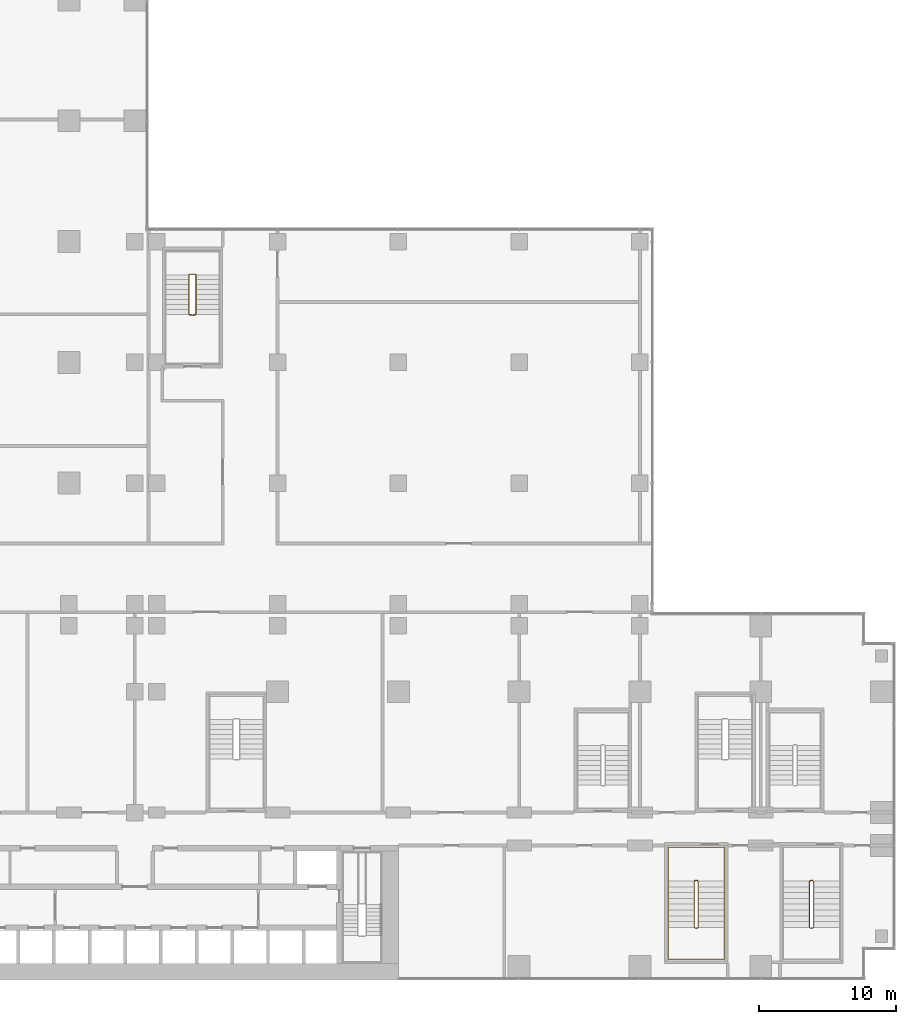
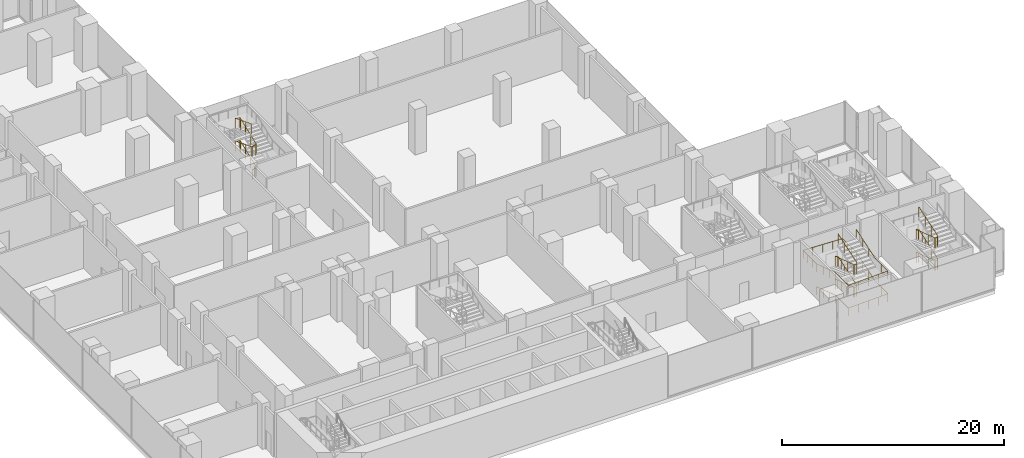
# One storey, part 28 of 30: 4 railings.
"""IFC4 building model written with IfcOpenShell, lengths in metres."""

from ifc_helpers import new_model, si_unit, direction, frame, origin, origin_2d, place, context, subcontext, project, spatial, circle, extrude, material, type_object, element, save


model = new_model("IFC4")

# Units and contexts
model_context = context("Model", 3, precision=1e-05, world=origin(), true_north=direction((0.0, 1.0)))
body_context = subcontext(model_context, "Body", "Model", "MODEL_VIEW")
ifc_project = project(units=[si_unit("LENGTHUNIT", "METRE"), si_unit("AREAUNIT", "SQUARE_METRE"), si_unit("VOLUMEUNIT", "CUBIC_METRE"), si_unit("PLANEANGLEUNIT", "RADIAN"), si_unit("MASSUNIT", "GRAM", prefix="KILO")], contexts=[model_context])

# Site, building, storey
site_placement = place(None, origin())
site = spatial("IfcSite", under=ifc_project, at=site_placement, CompositionType="ELEMENT")
building_placement = place(site_placement, origin())
building = spatial("IfcBuilding", under=site, at=building_placement, Name="Kemantara Hotel Tower", CompositionType="ELEMENT")
storey_placement = place(building_placement, frame((0.0, 0.0, 13.0)))
storey = spatial("IfcBuildingStorey", under=building, at=storey_placement, Name="L02", CompositionType="ELEMENT", Elevation=13.0)

# Railings
ifc_material = material(Name="Stainless steel balustrade", Category="steel")
railing_type_1 = type_object("IfcRailingType", Name="Stair guard 1100 mm", PredefinedType="GUARDRAIL", material=ifc_material)
railing_1_placement = place(storey_placement, frame((29.75, 48.5, 5.0)))
element("IfcRailing", 1, at=railing_1_placement, inside=storey, type_object=railing_type_1, Name="L02 PS2 stair guard 1", PredefinedType="GUARDRAIL", context=body_context, shape_type="SweptSolid", body=[
    extrude(circle(Radius=0.02392578125, at=origin_2d()), frame((0.0, 0.0, 1.076171875), z_axis=(0.0, 0.932972064118, -0.359948784656), x_axis=(-1.0, 0.0, 0.0)), (0.0, 0.0, 1.0), 3.086669921875),
    extrude(circle(Radius=0.02392578125, at=origin_2d()), frame((0.0, 2.8798828125, -0.03515625), z_axis=(0.321014310373, 0.321014310373, -0.891010451718), x_axis=(-0.707106781187, 0.707106781187, 0.0)), (0.0, 0.0, 1.0), 0.156005859375),
    extrude(circle(Radius=0.02392578125, at=origin_2d()), frame((0.050048828125, 2.929931640625, -0.173828125), z_axis=(1.0, 0.0, 0.0), x_axis=(0.0, 1.0, 0.0)), (0.0, 0.0, 1.0), 0.39990234375),
    extrude(circle(Radius=0.02392578125, at=origin_2d()), frame((0.449951171875, 2.929931640625, -0.173828125), z_axis=(0.707106781187, -0.707106781187, 0.0), x_axis=(0.707106781187, 0.707106781187, 0.0)), (0.0, 0.0, 1.0), 0.07080078125),
    extrude(circle(Radius=0.02392578125, at=origin_2d()), frame((0.5, 2.8798828125, -0.173828125), z_axis=(0.0, -0.932972064118, -0.359948784656), x_axis=(1.0, 0.0, 0.0)), (0.0, 0.0, 1.0), 3.086669921875),
    extrude(circle(Radius=0.02392578125, at=origin_2d()), frame((0.5, 0.0, -1.28515625), z_axis=(-0.950147067569, -0.105686461667, -0.293344374089), x_axis=(0.110549901152, -0.993870574751, 0.0)), (0.0, 0.0, 1.0), 0.4736328125),
    extrude(circle(Radius=0.02392578125, at=origin_2d()), frame((0.050048828125, -0.050048828125, -1.423828125), z_axis=(1.0, 0.0, 0.0), x_axis=(0.0, 1.0, 0.0)), (0.0, 0.0, 1.0), 0.39990234375),
    extrude(circle(Radius=0.02392578125, at=origin_2d()), frame((0.449951171875, -0.050048828125, -1.423828125), z_axis=(-0.993870574751, 0.110549901152, 0.0), x_axis=(-0.110549901152, -0.993870574751, 0.0)), (0.0, 0.0, 1.0), 0.45263671875),
    extrude(circle(Radius=0.02392578125, at=origin_2d()), frame((0.0, 0.0, -1.423828125), z_axis=(0.0, 0.932972064118, -0.359948784656), x_axis=(-1.0, 0.0, 0.0)), (0.0, 0.0, 1.0), 3.086669921875),
    extrude(circle(Radius=0.02392578125, at=origin_2d()), frame((0.0, 2.8798828125, -2.53515625), z_axis=(0.321014310373, 0.321014310373, -0.891010451718), x_axis=(-0.707106781187, 0.707106781187, 0.0)), (0.0, 0.0, 1.0), 0.156005859375),
    extrude(circle(Radius=0.02392578125, at=origin_2d()), frame((0.050048828125, 2.929931640625, -2.673828125), z_axis=(1.0, 0.0, 0.0), x_axis=(0.0, 1.0, 0.0)), (0.0, 0.0, 1.0), 0.39990234375),
    extrude(circle(Radius=0.02392578125, at=origin_2d()), frame((0.449951171875, 2.929931640625, -2.673828125), z_axis=(0.707106781187, -0.707106781187, 0.0), x_axis=(0.707106781187, 0.707106781187, 0.0)), (0.0, 0.0, 1.0), 0.07080078125),
    extrude(circle(Radius=0.02392578125, at=origin_2d()), frame((0.5, 2.8798828125, -2.673828125), z_axis=(0.0, -0.932972064118, -0.359948784656), x_axis=(1.0, 0.0, 0.0)), (0.0, 0.0, 1.0), 3.086669921875),
    extrude(circle(Radius=0.02392578125, at=origin_2d()), frame((0.5, 0.0, -3.78515625), z_axis=(-0.321014310373, -0.321014310373, -0.891010451718), x_axis=(0.707106781187, -0.707106781187, 0.0)), (0.0, 0.0, 1.0), 0.156005859375),
    extrude(circle(Radius=0.02392578125, at=origin_2d()), frame((0.449951171875, -0.050048828125, -3.923828125), z_axis=(-1.0, 0.0, 0.0), x_axis=(0.0, -1.0, 0.0)), (0.0, 0.0, 1.0), 0.39990234375),
    extrude(circle(Radius=0.02099609375, at=origin_2d()), origin(), (0.0, 0.0, 1.0), 1.052001953125),
    extrude(circle(Radius=0.02099609375, at=origin_2d()), frame((0.0, 0.9599609375, -0.370361328125)), (0.0, 0.0, 1.0), 1.052001953125),
    extrude(circle(Radius=0.02099609375, at=origin_2d()), frame((0.0, 1.919921875, -0.74072265625)), (0.0, 0.0, 1.0), 1.052001953125),
    extrude(circle(Radius=0.02099609375, at=origin_2d()), frame((0.0, 2.8798828125, -1.111083984375)), (0.0, 0.0, 1.0), 1.052001953125),
    extrude(circle(Radius=0.02099609375, at=origin_2d()), frame((0.050048828125, 2.929931640625, -1.25)), (0.0, 0.0, 1.0), 1.052001953125),
    extrude(circle(Radius=0.02099609375, at=origin_2d()), frame((0.449951171875, 2.929931640625, -1.25)), (0.0, 0.0, 1.0), 1.052001953125),
    extrude(circle(Radius=0.02099609375, at=origin_2d()), frame((0.5, 2.8798828125, -1.25)), (0.0, 0.0, 1.0), 1.052001953125),
    extrude(circle(Radius=0.02099609375, at=origin_2d()), frame((0.5, 1.919921875, -1.620361328125)), (0.0, 0.0, 1.0), 1.052001953125),
    extrude(circle(Radius=0.02099609375, at=origin_2d()), frame((0.5, 0.9599609375, -1.99072265625)), (0.0, 0.0, 1.0), 1.052001953125),
    extrude(circle(Radius=0.02099609375, at=origin_2d()), frame((0.5, 0.0, -2.361083984375)), (0.0, 0.0, 1.0), 1.052001953125),
    extrude(circle(Radius=0.02099609375, at=origin_2d()), frame((0.050048828125, -0.050048828125, -2.5)), (0.0, 0.0, 1.0), 1.052001953125),
    extrude(circle(Radius=0.02099609375, at=origin_2d()), frame((0.449951171875, -0.050048828125, -2.5)), (0.0, 0.0, 1.0), 1.052001953125),
    extrude(circle(Radius=0.02099609375, at=origin_2d()), frame((0.0, 0.0, -2.5)), (0.0, 0.0, 1.0), 1.052001953125),
    extrude(circle(Radius=0.02099609375, at=origin_2d()), frame((0.0, 0.9599609375, -2.870361328125)), (0.0, 0.0, 1.0), 1.052001953125),
    extrude(circle(Radius=0.02099609375, at=origin_2d()), frame((0.0, 1.919921875, -3.24072265625)), (0.0, 0.0, 1.0), 1.052001953125),
    extrude(circle(Radius=0.02099609375, at=origin_2d()), frame((0.0, 2.8798828125, -3.611083984375)), (0.0, 0.0, 1.0), 1.052001953125),
    extrude(circle(Radius=0.02099609375, at=origin_2d()), frame((0.050048828125, 2.929931640625, -3.75)), (0.0, 0.0, 1.0), 1.052001953125),
    extrude(circle(Radius=0.02099609375, at=origin_2d()), frame((0.449951171875, 2.929931640625, -3.75)), (0.0, 0.0, 1.0), 1.052001953125),
    extrude(circle(Radius=0.02099609375, at=origin_2d()), frame((0.5, 2.8798828125, -3.75)), (0.0, 0.0, 1.0), 1.052001953125),
    extrude(circle(Radius=0.02099609375, at=origin_2d()), frame((0.5, 1.919921875, -4.120361328125)), (0.0, 0.0, 1.0), 1.052001953125),
    extrude(circle(Radius=0.02099609375, at=origin_2d()), frame((0.5, 0.9599609375, -4.49072265625)), (0.0, 0.0, 1.0), 1.052001953125),
    extrude(circle(Radius=0.02099609375, at=origin_2d()), frame((0.5, 0.0, -4.861083984375)), (0.0, 0.0, 1.0), 1.052001953125),
    extrude(circle(Radius=0.02099609375, at=origin_2d()), frame((0.449951171875, -0.050048828125, -5.0)), (0.0, 0.0, 1.0), 1.052001953125),
    extrude(circle(Radius=0.02099609375, at=origin_2d()), frame((0.050048828125, -0.050048828125, -5.0)), (0.0, 0.0, 1.0), 1.052001953125),
])
railing_2_placement = place(storey_placement, frame((66.85009765625, 7.199951171875, 5.0)))
element("IfcRailing", 2, at=railing_2_placement, inside=storey, type_object=railing_type_1, Name="L02 PS4 stair guard 1", PredefinedType="GUARDRAIL", context=body_context, shape_type="SweptSolid", body=[
    extrude(circle(Radius=0.02392578125, at=origin_2d()), frame((0.0, 0.0, 1.076171875), z_axis=(0.0, -0.949432600572, -0.313970917396), x_axis=(1.0, 0.0, 0.0)), (0.0, 0.0, 1.0), 3.538818359375),
    extrude(circle(Radius=0.02392578125, at=origin_2d()), frame((0.0, -3.35986328125, -0.03515625), z_axis=(-0.321014310373, -0.321014310373, -0.891010451718), x_axis=(0.707106781187, -0.707106781187, 0.0)), (0.0, 0.0, 1.0), 0.156005859375),
    extrude(circle(Radius=0.02392578125, at=origin_2d()), frame((-0.050048828125, -3.409912109375, -0.173828125), z_axis=(-1.0, 0.0, 0.0), x_axis=(0.0, -1.0, 0.0)), (0.0, 0.0, 1.0), 0.199951171875),
    extrude(circle(Radius=0.02392578125, at=origin_2d()), frame((-0.25, -3.409912109375, -0.173828125), z_axis=(-0.707106781187, 0.707106781187, 0.0), x_axis=(-0.707106781187, -0.707106781187, 0.0)), (0.0, 0.0, 1.0), 0.07080078125),
    extrude(circle(Radius=0.02392578125, at=origin_2d()), frame((-0.300048828125, -3.35986328125, -0.173828125), z_axis=(0.0, 0.949432600572, -0.313970917396), x_axis=(-1.0, 0.0, 0.0)), (0.0, 0.0, 1.0), 3.538818359375),
    extrude(circle(Radius=0.02392578125, at=origin_2d()), frame((-0.300048828125, 0.0, -1.28515625), z_axis=(0.861032742868, 0.172374719031, -0.478444951847), x_axis=(-0.196300278283, 0.98054382908, 0.0)), (0.0, 0.0, 1.0), 0.290283203125),
    extrude(circle(Radius=0.02392578125, at=origin_2d()), frame((-0.050048828125, 0.050048828125, -1.423828125), z_axis=(-1.0, 0.0, 0.0), x_axis=(0.0, -1.0, 0.0)), (0.0, 0.0, 1.0), 0.199951171875),
    extrude(circle(Radius=0.02392578125, at=origin_2d()), frame((-0.25, 0.050048828125, -1.423828125), z_axis=(0.98054382908, -0.196300278283, 0.0), x_axis=(0.196300278283, 0.98054382908, 0.0)), (0.0, 0.0, 1.0), 0.2548828125),
    extrude(circle(Radius=0.02392578125, at=origin_2d()), frame((0.0, 0.0, -1.423828125), z_axis=(0.0, -0.949432600572, -0.313970917396), x_axis=(1.0, 0.0, 0.0)), (0.0, 0.0, 1.0), 3.538818359375),
    extrude(circle(Radius=0.02392578125, at=origin_2d()), frame((0.0, -3.35986328125, -2.53515625), z_axis=(-0.321014310373, -0.321014310373, -0.891010451718), x_axis=(0.707106781187, -0.707106781187, 0.0)), (0.0, 0.0, 1.0), 0.156005859375),
    extrude(circle(Radius=0.02392578125, at=origin_2d()), frame((-0.050048828125, -3.409912109375, -2.673828125), z_axis=(-1.0, 0.0, 0.0), x_axis=(0.0, -1.0, 0.0)), (0.0, 0.0, 1.0), 0.199951171875),
    extrude(circle(Radius=0.02392578125, at=origin_2d()), frame((-0.25, -3.409912109375, -2.673828125), z_axis=(-0.707106781187, 0.707106781187, 0.0), x_axis=(-0.707106781187, -0.707106781187, 0.0)), (0.0, 0.0, 1.0), 0.07080078125),
    extrude(circle(Radius=0.02392578125, at=origin_2d()), frame((-0.300048828125, -3.35986328125, -2.673828125), z_axis=(0.0, 0.949432600572, -0.313970917396), x_axis=(-1.0, 0.0, 0.0)), (0.0, 0.0, 1.0), 3.538818359375),
    extrude(circle(Radius=0.02392578125, at=origin_2d()), frame((-0.300048828125, 0.0, -3.78515625), z_axis=(0.321014310373, 0.321014310373, -0.891010451718), x_axis=(-0.707106781187, 0.707106781187, 0.0)), (0.0, 0.0, 1.0), 0.156005859375),
    extrude(circle(Radius=0.02392578125, at=origin_2d()), frame((-0.25, 0.050048828125, -3.923828125), z_axis=(1.0, 0.0, 0.0), x_axis=(0.0, 1.0, 0.0)), (0.0, 0.0, 1.0), 0.199951171875),
    extrude(circle(Radius=0.02099609375, at=origin_2d()), origin(), (0.0, 0.0, 1.0), 1.052001953125),
    extrude(circle(Radius=0.02099609375, at=origin_2d()), frame((0.0, -1.119873046875, -0.370361328125)), (0.0, 0.0, 1.0), 1.052001953125),
    extrude(circle(Radius=0.02099609375, at=origin_2d()), frame((0.0, -2.239990234375, -0.74072265625)), (0.0, 0.0, 1.0), 1.052001953125),
    extrude(circle(Radius=0.02099609375, at=origin_2d()), frame((0.0, -3.35986328125, -1.111083984375)), (0.0, 0.0, 1.0), 1.052001953125),
    extrude(circle(Radius=0.02099609375, at=origin_2d()), frame((-0.050048828125, -3.409912109375, -1.25)), (0.0, 0.0, 1.0), 1.052001953125),
    extrude(circle(Radius=0.02099609375, at=origin_2d()), frame((-0.25, -3.409912109375, -1.25)), (0.0, 0.0, 1.0), 1.052001953125),
    extrude(circle(Radius=0.02099609375, at=origin_2d()), frame((-0.300048828125, -3.35986328125, -1.25)), (0.0, 0.0, 1.0), 1.052001953125),
    extrude(circle(Radius=0.02099609375, at=origin_2d()), frame((-0.300048828125, -2.239990234375, -1.620361328125)), (0.0, 0.0, 1.0), 1.052001953125),
    extrude(circle(Radius=0.02099609375, at=origin_2d()), frame((-0.300048828125, -1.119873046875, -1.99072265625)), (0.0, 0.0, 1.0), 1.052001953125),
    extrude(circle(Radius=0.02099609375, at=origin_2d()), frame((-0.300048828125, 0.0, -2.361083984375)), (0.0, 0.0, 1.0), 1.052001953125),
    extrude(circle(Radius=0.02099609375, at=origin_2d()), frame((-0.050048828125, 0.050048828125, -2.5)), (0.0, 0.0, 1.0), 1.052001953125),
    extrude(circle(Radius=0.02099609375, at=origin_2d()), frame((-0.25, 0.050048828125, -2.5)), (0.0, 0.0, 1.0), 1.052001953125),
    extrude(circle(Radius=0.02099609375, at=origin_2d()), frame((0.0, 0.0, -2.5)), (0.0, 0.0, 1.0), 1.052001953125),
    extrude(circle(Radius=0.02099609375, at=origin_2d()), frame((0.0, -1.119873046875, -2.870361328125)), (0.0, 0.0, 1.0), 1.052001953125),
    extrude(circle(Radius=0.02099609375, at=origin_2d()), frame((0.0, -2.239990234375, -3.24072265625)), (0.0, 0.0, 1.0), 1.052001953125),
    extrude(circle(Radius=0.02099609375, at=origin_2d()), frame((0.0, -3.35986328125, -3.611083984375)), (0.0, 0.0, 1.0), 1.052001953125),
    extrude(circle(Radius=0.02099609375, at=origin_2d()), frame((-0.050048828125, -3.409912109375, -3.75)), (0.0, 0.0, 1.0), 1.052001953125),
    extrude(circle(Radius=0.02099609375, at=origin_2d()), frame((-0.25, -3.409912109375, -3.75)), (0.0, 0.0, 1.0), 1.052001953125),
    extrude(circle(Radius=0.02099609375, at=origin_2d()), frame((-0.300048828125, -3.35986328125, -3.75)), (0.0, 0.0, 1.0), 1.052001953125),
    extrude(circle(Radius=0.02099609375, at=origin_2d()), frame((-0.300048828125, -2.239990234375, -4.120361328125)), (0.0, 0.0, 1.0), 1.052001953125),
    extrude(circle(Radius=0.02099609375, at=origin_2d()), frame((-0.300048828125, -1.119873046875, -4.49072265625)), (0.0, 0.0, 1.0), 1.052001953125),
    extrude(circle(Radius=0.02099609375, at=origin_2d()), frame((-0.300048828125, 0.0, -4.861083984375)), (0.0, 0.0, 1.0), 1.052001953125),
    extrude(circle(Radius=0.02099609375, at=origin_2d()), frame((-0.25, 0.050048828125, -5.0)), (0.0, 0.0, 1.0), 1.052001953125),
    extrude(circle(Radius=0.02099609375, at=origin_2d()), frame((-0.050048828125, 0.050048828125, -5.0)), (0.0, 0.0, 1.0), 1.052001953125),
])
railing_3_placement = place(storey_placement, frame((75.25, 7.199951171875, 5.0)))
element("IfcRailing", 3, at=railing_3_placement, inside=storey, type_object=railing_type_1, Name="L02 PS5 stair guard 1", PredefinedType="GUARDRAIL", context=body_context, shape_type="SweptSolid", body=[
    extrude(circle(Radius=0.02392578125, at=origin_2d()), frame((0.0, 0.0, 1.076171875), z_axis=(0.0, -0.949432600572, -0.313970917396), x_axis=(1.0, 0.0, 0.0)), (0.0, 0.0, 1.0), 3.538818359375),
    extrude(circle(Radius=0.02392578125, at=origin_2d()), frame((0.0, -3.35986328125, -0.03515625), z_axis=(-0.321014310373, -0.321014310373, -0.891010451718), x_axis=(0.707106781187, -0.707106781187, 0.0)), (0.0, 0.0, 1.0), 0.156005859375),
    extrude(circle(Radius=0.02392578125, at=origin_2d()), frame((-0.050048828125, -3.409912109375, -0.173828125), z_axis=(-1.0, 0.0, 0.0), x_axis=(0.0, -1.0, 0.0)), (0.0, 0.0, 1.0), 0.199951171875),
    extrude(circle(Radius=0.02392578125, at=origin_2d()), frame((-0.25, -3.409912109375, -0.173828125), z_axis=(-0.707106781187, 0.707106781187, 0.0), x_axis=(-0.707106781187, -0.707106781187, 0.0)), (0.0, 0.0, 1.0), 0.07080078125),
    extrude(circle(Radius=0.02392578125, at=origin_2d()), frame((-0.300048828125, -3.35986328125, -0.173828125), z_axis=(0.0, 0.949432600572, -0.313970917396), x_axis=(-1.0, 0.0, 0.0)), (0.0, 0.0, 1.0), 3.538818359375),
    extrude(circle(Radius=0.02392578125, at=origin_2d()), frame((-0.300048828125, 0.0, -1.28515625), z_axis=(0.861032742868, 0.172374719031, -0.478444951847), x_axis=(-0.196300278283, 0.98054382908, 0.0)), (0.0, 0.0, 1.0), 0.290283203125),
    extrude(circle(Radius=0.02392578125, at=origin_2d()), frame((-0.050048828125, 0.050048828125, -1.423828125), z_axis=(-1.0, 0.0, 0.0), x_axis=(0.0, -1.0, 0.0)), (0.0, 0.0, 1.0), 0.199951171875),
    extrude(circle(Radius=0.02392578125, at=origin_2d()), frame((-0.25, 0.050048828125, -1.423828125), z_axis=(0.98054382908, -0.196300278283, 0.0), x_axis=(0.196300278283, 0.98054382908, 0.0)), (0.0, 0.0, 1.0), 0.2548828125),
    extrude(circle(Radius=0.02392578125, at=origin_2d()), frame((0.0, 0.0, -1.423828125), z_axis=(0.0, -0.949432600572, -0.313970917396), x_axis=(1.0, 0.0, 0.0)), (0.0, 0.0, 1.0), 3.538818359375),
    extrude(circle(Radius=0.02392578125, at=origin_2d()), frame((0.0, -3.35986328125, -2.53515625), z_axis=(-0.321014310373, -0.321014310373, -0.891010451718), x_axis=(0.707106781187, -0.707106781187, 0.0)), (0.0, 0.0, 1.0), 0.156005859375),
    extrude(circle(Radius=0.02392578125, at=origin_2d()), frame((-0.050048828125, -3.409912109375, -2.673828125), z_axis=(-1.0, 0.0, 0.0), x_axis=(0.0, -1.0, 0.0)), (0.0, 0.0, 1.0), 0.199951171875),
    extrude(circle(Radius=0.02392578125, at=origin_2d()), frame((-0.25, -3.409912109375, -2.673828125), z_axis=(-0.707106781187, 0.707106781187, 0.0), x_axis=(-0.707106781187, -0.707106781187, 0.0)), (0.0, 0.0, 1.0), 0.07080078125),
    extrude(circle(Radius=0.02392578125, at=origin_2d()), frame((-0.300048828125, -3.35986328125, -2.673828125), z_axis=(0.0, 0.949432600572, -0.313970917396), x_axis=(-1.0, 0.0, 0.0)), (0.0, 0.0, 1.0), 3.538818359375),
    extrude(circle(Radius=0.02392578125, at=origin_2d()), frame((-0.300048828125, 0.0, -3.78515625), z_axis=(0.321014310373, 0.321014310373, -0.891010451718), x_axis=(-0.707106781187, 0.707106781187, 0.0)), (0.0, 0.0, 1.0), 0.156005859375),
    extrude(circle(Radius=0.02392578125, at=origin_2d()), frame((-0.25, 0.050048828125, -3.923828125), z_axis=(1.0, 0.0, 0.0), x_axis=(0.0, 1.0, 0.0)), (0.0, 0.0, 1.0), 0.199951171875),
    extrude(circle(Radius=0.02099609375, at=origin_2d()), origin(), (0.0, 0.0, 1.0), 1.052001953125),
    extrude(circle(Radius=0.02099609375, at=origin_2d()), frame((0.0, -1.119873046875, -0.370361328125)), (0.0, 0.0, 1.0), 1.052001953125),
    extrude(circle(Radius=0.02099609375, at=origin_2d()), frame((0.0, -2.239990234375, -0.74072265625)), (0.0, 0.0, 1.0), 1.052001953125),
    extrude(circle(Radius=0.02099609375, at=origin_2d()), frame((0.0, -3.35986328125, -1.111083984375)), (0.0, 0.0, 1.0), 1.052001953125),
    extrude(circle(Radius=0.02099609375, at=origin_2d()), frame((-0.050048828125, -3.409912109375, -1.25)), (0.0, 0.0, 1.0), 1.052001953125),
    extrude(circle(Radius=0.02099609375, at=origin_2d()), frame((-0.25, -3.409912109375, -1.25)), (0.0, 0.0, 1.0), 1.052001953125),
    extrude(circle(Radius=0.02099609375, at=origin_2d()), frame((-0.300048828125, -3.35986328125, -1.25)), (0.0, 0.0, 1.0), 1.052001953125),
    extrude(circle(Radius=0.02099609375, at=origin_2d()), frame((-0.300048828125, -2.239990234375, -1.620361328125)), (0.0, 0.0, 1.0), 1.052001953125),
    extrude(circle(Radius=0.02099609375, at=origin_2d()), frame((-0.300048828125, -1.119873046875, -1.99072265625)), (0.0, 0.0, 1.0), 1.052001953125),
    extrude(circle(Radius=0.02099609375, at=origin_2d()), frame((-0.300048828125, 0.0, -2.361083984375)), (0.0, 0.0, 1.0), 1.052001953125),
    extrude(circle(Radius=0.02099609375, at=origin_2d()), frame((-0.050048828125, 0.050048828125, -2.5)), (0.0, 0.0, 1.0), 1.052001953125),
    extrude(circle(Radius=0.02099609375, at=origin_2d()), frame((-0.25, 0.050048828125, -2.5)), (0.0, 0.0, 1.0), 1.052001953125),
    extrude(circle(Radius=0.02099609375, at=origin_2d()), frame((0.0, 0.0, -2.5)), (0.0, 0.0, 1.0), 1.052001953125),
    extrude(circle(Radius=0.02099609375, at=origin_2d()), frame((0.0, -1.119873046875, -2.870361328125)), (0.0, 0.0, 1.0), 1.052001953125),
    extrude(circle(Radius=0.02099609375, at=origin_2d()), frame((0.0, -2.239990234375, -3.24072265625)), (0.0, 0.0, 1.0), 1.052001953125),
    extrude(circle(Radius=0.02099609375, at=origin_2d()), frame((0.0, -3.35986328125, -3.611083984375)), (0.0, 0.0, 1.0), 1.052001953125),
    extrude(circle(Radius=0.02099609375, at=origin_2d()), frame((-0.050048828125, -3.409912109375, -3.75)), (0.0, 0.0, 1.0), 1.052001953125),
    extrude(circle(Radius=0.02099609375, at=origin_2d()), frame((-0.25, -3.409912109375, -3.75)), (0.0, 0.0, 1.0), 1.052001953125),
    extrude(circle(Radius=0.02099609375, at=origin_2d()), frame((-0.300048828125, -3.35986328125, -3.75)), (0.0, 0.0, 1.0), 1.052001953125),
    extrude(circle(Radius=0.02099609375, at=origin_2d()), frame((-0.300048828125, -2.239990234375, -4.120361328125)), (0.0, 0.0, 1.0), 1.052001953125),
    extrude(circle(Radius=0.02099609375, at=origin_2d()), frame((-0.300048828125, -1.119873046875, -4.49072265625)), (0.0, 0.0, 1.0), 1.052001953125),
    extrude(circle(Radius=0.02099609375, at=origin_2d()), frame((-0.300048828125, 0.0, -4.861083984375)), (0.0, 0.0, 1.0), 1.052001953125),
    extrude(circle(Radius=0.02099609375, at=origin_2d()), frame((-0.25, 0.050048828125, -5.0)), (0.0, 0.0, 1.0), 1.052001953125),
    extrude(circle(Radius=0.02099609375, at=origin_2d()), frame((-0.050048828125, 0.050048828125, -5.0)), (0.0, 0.0, 1.0), 1.052001953125),
])
railing_type_2 = type_object("IfcRailingType", Name="Stair handrail 900 mm", PredefinedType="HANDRAIL", material=ifc_material)
railing_4_placement = place(storey_placement, frame((64.64990234375, 7.199951171875, 0.138916015625)))
element("IfcRailing", 4, at=railing_4_placement, inside=storey, type_object=railing_type_2, Name="L02 PS4 stair handrail 1", PredefinedType="HANDRAIL", context=body_context, shape_type="SweptSolid", body=[
    extrude(circle(Radius=0.02392578125, at=origin_2d()), frame((0.0, 0.0, 0.8759765625), z_axis=(0.0, -0.949432600572, 0.313970917396), x_axis=(1.0, 0.0, 0.0)), (0.0, 0.0, 1.0), 3.538818359375),
    extrude(circle(Radius=0.02392578125, at=origin_2d()), frame((0.0, -3.35986328125, 1.98681640625), z_axis=(0.0, -1.0, 0.0), x_axis=(1.0, 0.0, 0.0)), (0.0, 0.0, 1.0), 2.320068359375),
    extrude(circle(Radius=0.02392578125, at=origin_2d()), frame((0.0, -5.679931640625, 1.98681640625), z_axis=(0.999426527587, 0.0, 0.033861718125), x_axis=(0.0, 1.0, 0.0)), (0.0, 0.0, 1.0), 4.1025390625),
    extrude(circle(Radius=0.02392578125, at=origin_2d()), frame((4.10009765625, -5.679931640625, 2.1259765625), z_axis=(0.0, 1.0, 0.0), x_axis=(-1.0, 0.0, 0.0)), (0.0, 0.0, 1.0), 2.320068359375),
    extrude(circle(Radius=0.02392578125, at=origin_2d()), frame((4.10009765625, -3.35986328125, 2.1259765625), z_axis=(0.0, 0.949432600572, 0.313970917396), x_axis=(-1.0, 0.0, 0.0)), (0.0, 0.0, 1.0), 3.538818359375),
    extrude(circle(Radius=0.02392578125, at=origin_2d()), frame((4.10009765625, 0.0, 3.23681640625), z_axis=(0.0, 1.0, 0.0), x_axis=(-1.0, 0.0, 0.0)), (0.0, 0.0, 1.0), 2.47998046875),
    extrude(circle(Radius=0.02392578125, at=origin_2d()), frame((4.10009765625, 2.47998046875, 3.23681640625), z_axis=(-0.999426527587, 0.0, 0.033861718125), x_axis=(0.0, -1.0, 0.0)), (0.0, 0.0, 1.0), 4.1025390625),
    extrude(circle(Radius=0.02392578125, at=origin_2d()), frame((0.0, 2.47998046875, 3.3759765625), z_axis=(0.0, -1.0, 0.0), x_axis=(1.0, 0.0, 0.0)), (0.0, 0.0, 1.0), 2.47998046875),
    extrude(circle(Radius=0.02392578125, at=origin_2d()), frame((0.0, 0.0, 3.3759765625), z_axis=(0.0, -0.949432600572, 0.313970917396), x_axis=(1.0, 0.0, 0.0)), (0.0, 0.0, 1.0), 3.538818359375),
    extrude(circle(Radius=0.02392578125, at=origin_2d()), frame((0.0, -3.35986328125, 4.48681640625), z_axis=(0.0, -1.0, 0.0), x_axis=(1.0, 0.0, 0.0)), (0.0, 0.0, 1.0), 2.320068359375),
    extrude(circle(Radius=0.02392578125, at=origin_2d()), frame((0.0, -5.679931640625, 4.48681640625), z_axis=(0.999426527587, 0.0, 0.033861718125), x_axis=(0.0, 1.0, 0.0)), (0.0, 0.0, 1.0), 4.1025390625),
    extrude(circle(Radius=0.02392578125, at=origin_2d()), frame((4.10009765625, -5.679931640625, 4.6259765625), z_axis=(0.0, 1.0, 0.0), x_axis=(-1.0, 0.0, 0.0)), (0.0, 0.0, 1.0), 2.320068359375),
    extrude(circle(Radius=0.02392578125, at=origin_2d()), frame((4.10009765625, -3.35986328125, 4.6259765625), z_axis=(0.0, 0.949432600572, 0.313970917396), x_axis=(-1.0, 0.0, 0.0)), (0.0, 0.0, 1.0), 3.538818359375),
    extrude(circle(Radius=0.02099609375, at=origin_2d()), origin(), (0.0, 0.0, 1.0), 0.851806640625),
    extrude(circle(Radius=0.02099609375, at=origin_2d()), frame((0.0, -1.119873046875, 0.370361328125)), (0.0, 0.0, 1.0), 0.851806640625),
    extrude(circle(Radius=0.02099609375, at=origin_2d()), frame((0.0, -2.239990234375, 0.74072265625)), (0.0, 0.0, 1.0), 0.851806640625),
    extrude(circle(Radius=0.02099609375, at=origin_2d()), frame((0.0, -3.35986328125, 1.111083984375)), (0.0, 0.0, 1.0), 0.851806640625),
    extrude(circle(Radius=0.02099609375, at=origin_2d()), frame((0.0, -4.52001953125, 1.111083984375)), (0.0, 0.0, 1.0), 0.851806640625),
    extrude(circle(Radius=0.02099609375, at=origin_2d()), frame((0.0, -5.679931640625, 1.111083984375)), (0.0, 0.0, 1.0), 0.851806640625),
    extrude(circle(Radius=0.02099609375, at=origin_2d()), frame((1.02490234375, -5.679931640625, 1.145751953125)), (0.0, 0.0, 1.0), 0.851806640625),
    extrude(circle(Radius=0.02099609375, at=origin_2d()), frame((2.050048828125, -5.679931640625, 1.1806640625)), (0.0, 0.0, 1.0), 0.851806640625),
    extrude(circle(Radius=0.02099609375, at=origin_2d()), frame((3.0751953125, -5.679931640625, 1.21533203125)), (0.0, 0.0, 1.0), 0.851806640625),
    extrude(circle(Radius=0.02099609375, at=origin_2d()), frame((4.10009765625, -5.679931640625, 1.25)), (0.0, 0.0, 1.0), 0.851806640625),
    extrude(circle(Radius=0.02099609375, at=origin_2d()), frame((4.10009765625, -4.52001953125, 1.25)), (0.0, 0.0, 1.0), 0.851806640625),
    extrude(circle(Radius=0.02099609375, at=origin_2d()), frame((4.10009765625, -3.35986328125, 1.25)), (0.0, 0.0, 1.0), 0.851806640625),
    extrude(circle(Radius=0.02099609375, at=origin_2d()), frame((4.10009765625, -2.239990234375, 1.620361328125)), (0.0, 0.0, 1.0), 0.851806640625),
    extrude(circle(Radius=0.02099609375, at=origin_2d()), frame((4.10009765625, -1.119873046875, 1.99072265625)), (0.0, 0.0, 1.0), 0.851806640625),
    extrude(circle(Radius=0.02099609375, at=origin_2d()), frame((4.10009765625, 0.0, 2.361083984375)), (0.0, 0.0, 1.0), 0.851806640625),
    extrude(circle(Radius=0.02099609375, at=origin_2d()), frame((4.10009765625, 0.82666015625, 2.361083984375)), (0.0, 0.0, 1.0), 0.851806640625),
    extrude(circle(Radius=0.02099609375, at=origin_2d()), frame((4.10009765625, 1.6533203125, 2.361083984375)), (0.0, 0.0, 1.0), 0.851806640625),
    extrude(circle(Radius=0.02099609375, at=origin_2d()), frame((4.10009765625, 2.47998046875, 2.361083984375)), (0.0, 0.0, 1.0), 0.851806640625),
    extrude(circle(Radius=0.02099609375, at=origin_2d()), frame((3.0751953125, 2.47998046875, 2.395751953125)), (0.0, 0.0, 1.0), 0.851806640625),
    extrude(circle(Radius=0.02099609375, at=origin_2d()), frame((2.050048828125, 2.47998046875, 2.4306640625)), (0.0, 0.0, 1.0), 0.851806640625),
    extrude(circle(Radius=0.02099609375, at=origin_2d()), frame((1.02490234375, 2.47998046875, 2.46533203125)), (0.0, 0.0, 1.0), 0.851806640625),
    extrude(circle(Radius=0.02099609375, at=origin_2d()), frame((0.0, 2.47998046875, 2.5)), (0.0, 0.0, 1.0), 0.851806640625),
    extrude(circle(Radius=0.02099609375, at=origin_2d()), frame((0.0, 1.6533203125, 2.5)), (0.0, 0.0, 1.0), 0.851806640625),
    extrude(circle(Radius=0.02099609375, at=origin_2d()), frame((0.0, 0.82666015625, 2.5)), (0.0, 0.0, 1.0), 0.851806640625),
    extrude(circle(Radius=0.02099609375, at=origin_2d()), frame((0.0, 0.0, 2.5)), (0.0, 0.0, 1.0), 0.851806640625),
    extrude(circle(Radius=0.02099609375, at=origin_2d()), frame((0.0, -1.119873046875, 2.870361328125)), (0.0, 0.0, 1.0), 0.851806640625),
    extrude(circle(Radius=0.02099609375, at=origin_2d()), frame((0.0, -2.239990234375, 3.24072265625)), (0.0, 0.0, 1.0), 0.851806640625),
    extrude(circle(Radius=0.02099609375, at=origin_2d()), frame((0.0, -3.35986328125, 3.611083984375)), (0.0, 0.0, 1.0), 0.851806640625),
    extrude(circle(Radius=0.02099609375, at=origin_2d()), frame((0.0, -4.52001953125, 3.611083984375)), (0.0, 0.0, 1.0), 0.851806640625),
    extrude(circle(Radius=0.02099609375, at=origin_2d()), frame((0.0, -5.679931640625, 3.611083984375)), (0.0, 0.0, 1.0), 0.851806640625),
    extrude(circle(Radius=0.02099609375, at=origin_2d()), frame((1.02490234375, -5.679931640625, 3.645751953125)), (0.0, 0.0, 1.0), 0.851806640625),
    extrude(circle(Radius=0.02099609375, at=origin_2d()), frame((2.050048828125, -5.679931640625, 3.6806640625)), (0.0, 0.0, 1.0), 0.851806640625),
    extrude(circle(Radius=0.02099609375, at=origin_2d()), frame((3.0751953125, -5.679931640625, 3.71533203125)), (0.0, 0.0, 1.0), 0.851806640625),
    extrude(circle(Radius=0.02099609375, at=origin_2d()), frame((4.10009765625, -5.679931640625, 3.75)), (0.0, 0.0, 1.0), 0.851806640625),
    extrude(circle(Radius=0.02099609375, at=origin_2d()), frame((4.10009765625, -4.52001953125, 3.75)), (0.0, 0.0, 1.0), 0.851806640625),
    extrude(circle(Radius=0.02099609375, at=origin_2d()), frame((4.10009765625, -3.35986328125, 3.75)), (0.0, 0.0, 1.0), 0.851806640625),
    extrude(circle(Radius=0.02099609375, at=origin_2d()), frame((4.10009765625, -2.239990234375, 4.120361328125)), (0.0, 0.0, 1.0), 0.851806640625),
    extrude(circle(Radius=0.02099609375, at=origin_2d()), frame((4.10009765625, -1.119873046875, 4.49072265625)), (0.0, 0.0, 1.0), 0.851806640625),
    extrude(circle(Radius=0.02099609375, at=origin_2d()), frame((4.10009765625, 0.0, 4.861083984375)), (0.0, 0.0, 1.0), 0.851806640625),
])

save(model, "model.ifc")
